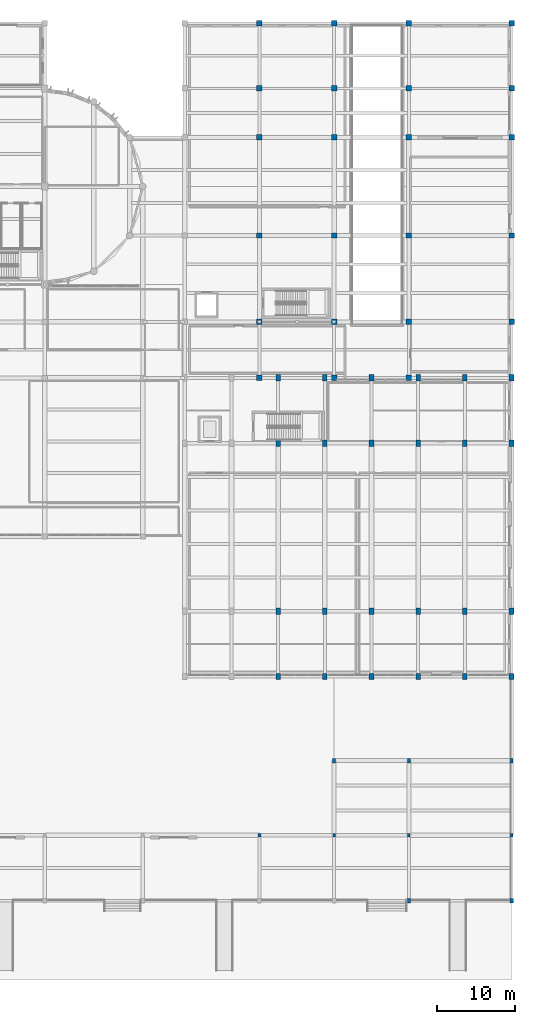
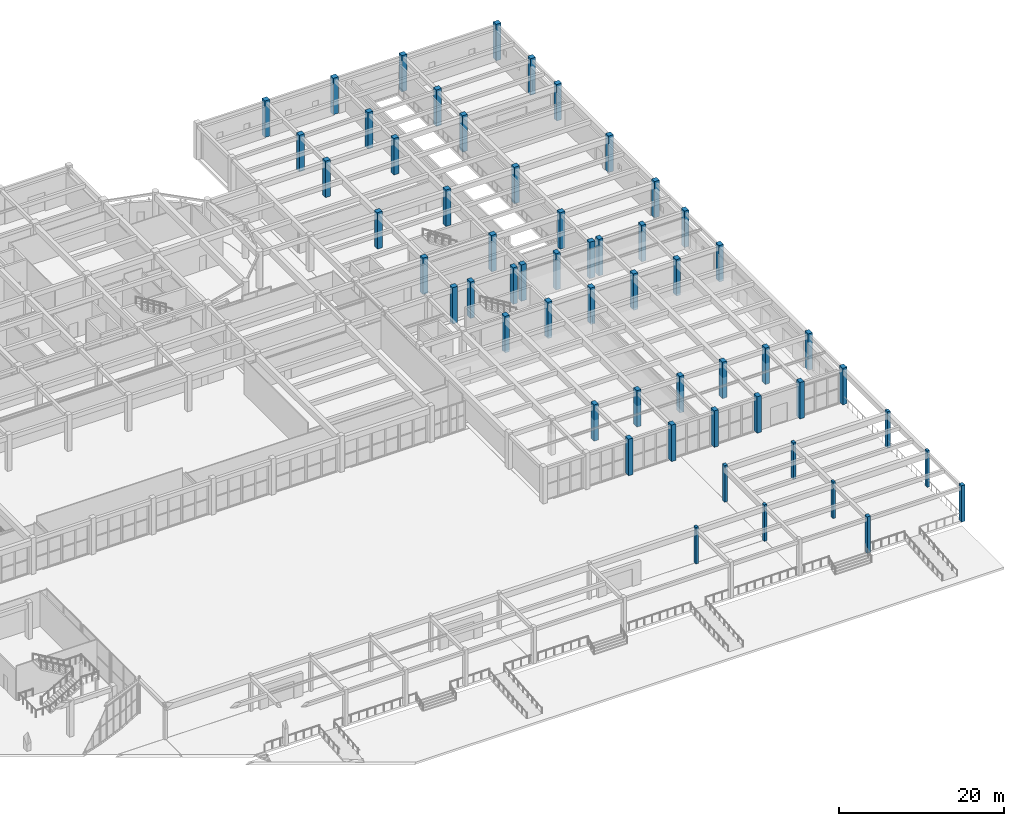
# One storey, part 5 of 98: 56 columns.
"""IFC4 building model written with IfcOpenShell, lengths in metres."""

from ifc_helpers import new_model, si_unit, direction, frame, origin, origin_2d, place, context, subcontext, project, spatial, rectangle, extrude, material, material_profile, profile_set, type_object, element, save


model = new_model("IFC4")

# Units and contexts
model_context = context("Model", 3, precision=1e-05, world=origin(), true_north=direction((0.0, 1.0)))
body_context = subcontext(model_context, "Body", "Model", "MODEL_VIEW")
ifc_project = project(units=[si_unit("LENGTHUNIT", "METRE"), si_unit("AREAUNIT", "SQUARE_METRE"), si_unit("VOLUMEUNIT", "CUBIC_METRE"), si_unit("PLANEANGLEUNIT", "RADIAN"), si_unit("MASSUNIT", "GRAM", prefix="KILO")], contexts=[model_context])

# Site, building, storey
site_placement = place(None, origin())
site = spatial("IfcSite", under=ifc_project, at=site_placement, CompositionType="ELEMENT")
building_placement = place(site_placement, origin())
building = spatial("IfcBuilding", under=site, at=building_placement, Name="Tarnavel Promenade Courthouse", CompositionType="ELEMENT")
storey_placement = place(building_placement, origin())
storey = spatial("IfcBuildingStorey", under=building, at=storey_placement, Name="L01", CompositionType="ELEMENT", Elevation=0.0)

# Columns
ifc_material = material(Name="Concrete C40/50", Category="concrete")
ifc_material_profile_1 = material_profile(ifc_material, rectangle(XDim=0.35009765625, YDim=0.5, at=origin_2d()), Name="RC 350x500")
ifc_profile_set_1 = profile_set([ifc_material_profile_1], Name="Concrete C40/50")
column_type_1 = type_object("IfcColumnType", Name="Concrete C40/50 COL-PIL-350x500 (RC 350x500)", PredefinedType="PILASTER", material=ifc_profile_set_1)
for number, where, z_axis, x_axis, name in (
    (1, (129.60009765625, 8.39990234375, 0.0), (0.0, 0.0, 1.0), (1.0, 0.0, 0.0), "L01 Structural Column 1123"),
    (2, (139.199951171875, 8.39990234375, 0.0), (0.0, 0.0, 1.0), (1.0, 0.0, 0.0), "L01 Structural Column 1127"),
    (3, (148.800048828125, 8.39990234375, 0.0), (0.0, 0.0, 1.0), (1.0, 0.0, 0.0), "L01 Structural Column 1131"),
    (4, (162.0, 8.39990234375, 0.0), (0.0, 0.0, 1.0), (1.0, 0.0, 0.0), "L01 Structural Column 1135"),
):
    element("IfcColumn", number, at=place(storey_placement, frame(where, z_axis=z_axis, x_axis=x_axis)), inside=storey, type_object=column_type_1, Name=name, PredefinedType="PILASTER", context=body_context, shape_type="SweptSolid", body=[
        extrude(rectangle(XDim=0.35009765625, YDim=0.5, at=origin_2d()), origin(), (0.0, 0.0, 1.0), 5.39990234375),
    ])
ifc_material_profile_2 = material_profile(ifc_material, rectangle(XDim=0.39990234375, YDim=0.550048828125, at=origin_2d()), Name="RC 400x550")
ifc_profile_set_2 = profile_set([ifc_material_profile_2], Name="Concrete C40/50")
column_type_2 = type_object("IfcColumnType", Name="Concrete C40/50 COL-PIL-400x550 (RC 400x550)", PredefinedType="PILASTER", material=ifc_profile_set_2)
for number, where, z_axis, x_axis, name in (
    (5, (139.199951171875, 18.0, 0.0), (0.0, 0.0, 1.0), (1.0, 0.0, 0.0), "L01 Structural Column 1137"),
    (6, (148.800048828125, 18.0, 0.0), (0.0, 0.0, 1.0), (1.0, 0.0, 0.0), "L01 Structural Column 1139"),
    (7, (162.0, 18.0, 0.0), (0.0, 0.0, 1.0), (1.0, 0.0, 0.0), "L01 Structural Column 1141"),
):
    element("IfcColumn", number, at=place(storey_placement, frame(where, z_axis=z_axis, x_axis=x_axis)), inside=storey, type_object=column_type_2, Name=name, PredefinedType="PILASTER", context=body_context, shape_type="SweptSolid", body=[
        extrude(rectangle(XDim=0.39990234375, YDim=0.550048828125, at=origin_2d()), origin(), (0.0, 0.0, 1.0), 5.39990234375),
    ])
ifc_material_profile_3 = material_profile(ifc_material, rectangle(XDim=0.449951171875, YDim=0.60009765625, at=origin_2d()), Name="RC 450x600")
ifc_profile_set_3 = profile_set([ifc_material_profile_3], Name="Concrete C40/50")
column_type_3 = type_object("IfcColumnType", Name="Concrete C40/50 COL-PIL-450x600 (RC 450x600)", PredefinedType="PILASTER", material=ifc_profile_set_3)
for number, where, z_axis, x_axis, name in (
    (8, (148.800048828125, 0.0, 0.0), (0.0, 0.0, 1.0), (1.0, 0.0, 0.0), "L01 Structural Column 1129"),
    (9, (162.0, 0.0, 0.0), (0.0, 0.0, 1.0), (1.0, 0.0, 0.0), "L01 Structural Column 1133"),
):
    element("IfcColumn", number, at=place(storey_placement, frame(where, z_axis=z_axis, x_axis=x_axis)), inside=storey, type_object=column_type_3, Name=name, PredefinedType="PILASTER", context=body_context, shape_type="SweptSolid", body=[
        extrude(rectangle(XDim=0.449951171875, YDim=0.60009765625, at=origin_2d()), origin(), (0.0, 0.0, 1.0), 5.39990234375),
    ])
ifc_material_profile_4 = material_profile(ifc_material, rectangle(XDim=0.60009765625, YDim=0.800048828125, at=origin_2d()), Name="RC 600x800")
ifc_profile_set_4 = profile_set([ifc_material_profile_4], Name="Concrete C40/50")
column_type_4 = type_object("IfcColumnType", Name="Concrete C40/50 COL-RC600x800 (RC 600x800)", PredefinedType="COLUMN", material=ifc_profile_set_4)
for number, where, z_axis, x_axis, name in (
    (10, (132.0, 28.800048828125, 0.0), (0.0, 0.0, 1.0), (1.0, 0.0, 0.0), "L01 Structural Column 0767"),
    (11, (132.0, 37.199951171875, 0.0), (0.0, 0.0, 1.0), (1.0, 0.0, 0.0), "L01 Structural Column 0772"),
    (12, (132.0, 58.800048828125, 0.0), (0.0, 0.0, 1.0), (1.0, 0.0, 0.0), "L01 Structural Column 0777"),
    (13, (132.0, 67.199951171875, 0.0), (0.0, 0.0, 1.0), (1.0, 0.0, 0.0), "L01 Structural Column 0782"),
    (14, (138.0, 28.800048828125, 0.0), (0.0, 0.0, 1.0), (1.0, 0.0, 0.0), "L01 Structural Column 0787"),
    (15, (138.0, 37.199951171875, 0.0), (0.0, 0.0, 1.0), (1.0, 0.0, 0.0), "L01 Structural Column 0792"),
    (16, (138.0, 58.800048828125, 0.0), (0.0, 0.0, 1.0), (1.0, 0.0, 0.0), "L01 Structural Column 0797"),
    (17, (138.0, 67.199951171875, 0.0), (0.0, 0.0, 1.0), (1.0, 0.0, 0.0), "L01 Structural Column 0802"),
    (18, (144.0, 28.800048828125, 0.0), (0.0, 0.0, 1.0), (1.0, 0.0, 0.0), "L01 Structural Column 0807"),
    (19, (144.0, 37.199951171875, 0.0), (0.0, 0.0, 1.0), (1.0, 0.0, 0.0), "L01 Structural Column 0812"),
    (20, (144.0, 58.800048828125, 0.0), (0.0, 0.0, 1.0), (1.0, 0.0, 0.0), "L01 Structural Column 0817"),
    (21, (144.0, 67.199951171875, 0.0), (0.0, 0.0, 1.0), (1.0, 0.0, 0.0), "L01 Structural Column 0822"),
    (22, (150.0, 28.800048828125, 0.0), (0.0, 0.0, 1.0), (1.0, 0.0, 0.0), "L01 Structural Column 0827"),
    (23, (150.0, 37.199951171875, 0.0), (0.0, 0.0, 1.0), (1.0, 0.0, 0.0), "L01 Structural Column 0832"),
    (24, (150.0, 58.800048828125, 0.0), (0.0, 0.0, 1.0), (1.0, 0.0, 0.0), "L01 Structural Column 0837"),
    (25, (150.0, 67.199951171875, 0.0), (0.0, 0.0, 1.0), (1.0, 0.0, 0.0), "L01 Structural Column 0842"),
    (26, (156.0, 28.800048828125, 0.0), (0.0, 0.0, 1.0), (1.0, 0.0, 0.0), "L01 Structural Column 0847"),
    (27, (156.0, 37.199951171875, 0.0), (0.0, 0.0, 1.0), (1.0, 0.0, 0.0), "L01 Structural Column 0852"),
    (28, (156.0, 58.800048828125, 0.0), (0.0, 0.0, 1.0), (1.0, 0.0, 0.0), "L01 Structural Column 0857"),
    (29, (156.0, 67.199951171875, 0.0), (0.0, 0.0, 1.0), (1.0, 0.0, 0.0), "L01 Structural Column 0862"),
    (30, (162.0, 28.800048828125, 0.0), (0.0, 0.0, 1.0), (1.0, 0.0, 0.0), "L01 Structural Column 0867"),
    (31, (162.0, 37.199951171875, 0.0), (0.0, 0.0, 1.0), (1.0, 0.0, 0.0), "L01 Structural Column 0872"),
    (32, (162.0, 58.800048828125, 0.0), (0.0, 0.0, 1.0), (1.0, 0.0, 0.0), "L01 Structural Column 0877"),
    (33, (162.0, 67.199951171875, 0.0), (0.0, 0.0, 1.0), (1.0, 0.0, 0.0), "L01 Structural Column 0882"),
):
    element("IfcColumn", number, at=place(storey_placement, frame(where, z_axis=z_axis, x_axis=x_axis)), inside=storey, type_object=column_type_4, Name=name, PredefinedType="COLUMN", context=body_context, shape_type="SweptSolid", body=[
        extrude(rectangle(XDim=0.60009765625, YDim=0.800048828125, at=origin_2d()), origin(), (0.0, 0.0, 1.0), 5.39990234375),
    ])
ifc_material_profile_5 = material_profile(ifc_material, rectangle(XDim=0.699951171875, YDim=0.699951171875, at=origin_2d()), Name="RC 700x700")
ifc_profile_set_5 = profile_set([ifc_material_profile_5], Name="Concrete C40/50")
column_type_5 = type_object("IfcColumnType", Name="Concrete C40/50 COL-RC700-MID (RC 700x700)", PredefinedType="COLUMN", material=ifc_profile_set_5)
for number, where, z_axis, x_axis, name in (
    (34, (129.60009765625, 67.199951171875, 0.0), (0.0, 0.0, 1.0), (1.0, 0.0, 0.0), "L01 Structural Column 0907"),
    (35, (129.60009765625, 74.39990234375, 0.0), (0.0, 0.0, 1.0), (1.0, 0.0, 0.0), "L01 Structural Column 0911"),
    (36, (129.60009765625, 85.5, 0.0), (0.0, 0.0, 1.0), (1.0, 0.0, 0.0), "L01 Structural Column 0915"),
    (37, (129.60009765625, 98.10009765625, 0.0), (0.0, 0.0, 1.0), (1.0, 0.0, 0.0), "L01 Structural Column 0919"),
    (38, (129.60009765625, 104.39990234375, 0.0), (0.0, 0.0, 1.0), (1.0, 0.0, 0.0), "L01 Structural Column 0923"),
    (39, (129.60009765625, 112.800048828125, 0.0), (0.0, 0.0, 1.0), (1.0, 0.0, 0.0), "L01 Structural Column 0927"),
    (40, (139.199951171875, 67.199951171875, 0.0), (0.0, 0.0, 1.0), (1.0, 0.0, 0.0), "L01 Structural Column 0931"),
    (41, (139.199951171875, 74.39990234375, 0.0), (0.0, 0.0, 1.0), (1.0, 0.0, 0.0), "L01 Structural Column 0935"),
    (42, (139.199951171875, 85.5, 0.0), (0.0, 0.0, 1.0), (1.0, 0.0, 0.0), "L01 Structural Column 0939"),
    (43, (139.199951171875, 98.10009765625, 0.0), (0.0, 0.0, 1.0), (1.0, 0.0, 0.0), "L01 Structural Column 0943"),
    (44, (139.199951171875, 104.39990234375, 0.0), (0.0, 0.0, 1.0), (1.0, 0.0, 0.0), "L01 Structural Column 0947"),
    (45, (139.199951171875, 112.800048828125, 0.0), (0.0, 0.0, 1.0), (1.0, 0.0, 0.0), "L01 Structural Column 0951"),
    (46, (148.800048828125, 67.199951171875, 0.0), (0.0, 0.0, 1.0), (1.0, 0.0, 0.0), "L01 Structural Column 0955"),
    (47, (148.800048828125, 74.39990234375, 0.0), (0.0, 0.0, 1.0), (1.0, 0.0, 0.0), "L01 Structural Column 0959"),
    (48, (148.800048828125, 85.5, 0.0), (0.0, 0.0, 1.0), (1.0, 0.0, 0.0), "L01 Structural Column 0963"),
    (49, (148.800048828125, 98.10009765625, 0.0), (0.0, 0.0, 1.0), (1.0, 0.0, 0.0), "L01 Structural Column 0967"),
    (50, (148.800048828125, 104.39990234375, 0.0), (0.0, 0.0, 1.0), (1.0, 0.0, 0.0), "L01 Structural Column 0971"),
    (51, (148.800048828125, 112.800048828125, 0.0), (0.0, 0.0, 1.0), (1.0, 0.0, 0.0), "L01 Structural Column 0975"),
    (52, (162.0, 74.39990234375, 0.0), (0.0, 0.0, 1.0), (1.0, 0.0, 0.0), "L01 Structural Column 0979"),
    (53, (162.0, 85.5, 0.0), (0.0, 0.0, 1.0), (1.0, 0.0, 0.0), "L01 Structural Column 0983"),
    (54, (162.0, 98.10009765625, 0.0), (0.0, 0.0, 1.0), (1.0, 0.0, 0.0), "L01 Structural Column 0987"),
    (55, (162.0, 104.39990234375, 0.0), (0.0, 0.0, 1.0), (1.0, 0.0, 0.0), "L01 Structural Column 0991"),
    (56, (162.0, 112.800048828125, 0.0), (0.0, 0.0, 1.0), (1.0, 0.0, 0.0), "L01 Structural Column 0995"),
):
    element("IfcColumn", number, at=place(storey_placement, frame(where, z_axis=z_axis, x_axis=x_axis)), inside=storey, type_object=column_type_5, Name=name, PredefinedType="COLUMN", context=body_context, shape_type="SweptSolid", body=[
        extrude(rectangle(XDim=0.699951171875, YDim=0.699951171875, at=origin_2d()), origin(), (0.0, 0.0, 1.0), 5.39990234375),
    ])

save(model, "model.ifc")
